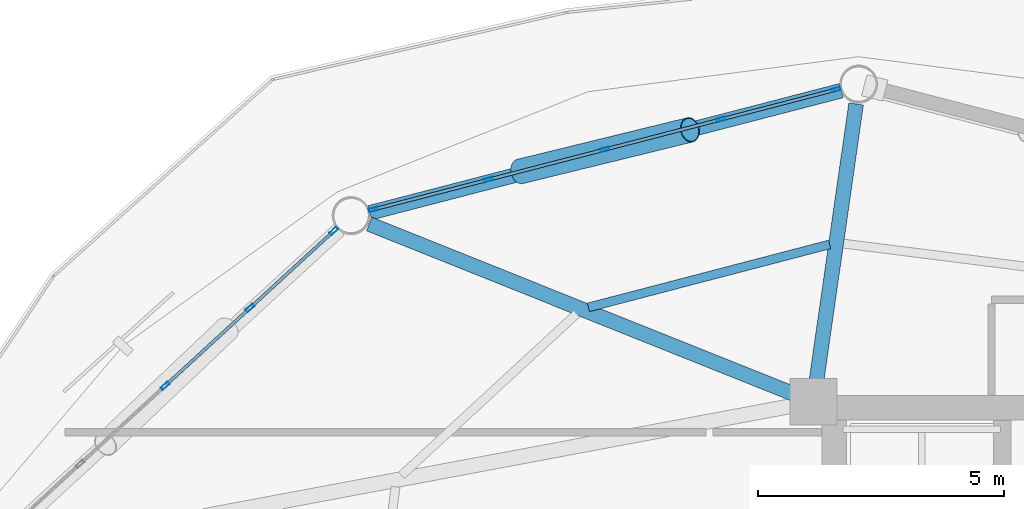
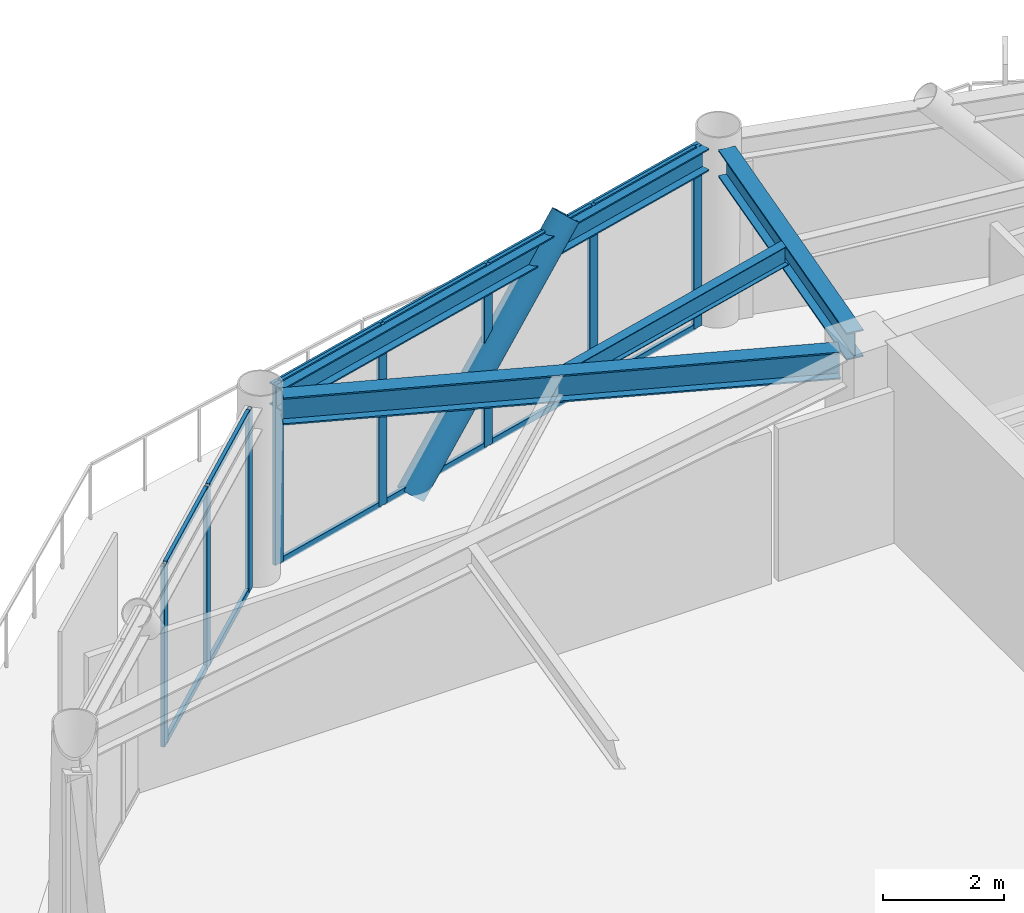
# One storey, part 15 of 23: 21 members, 4 beams, 2 elements without a shape of their own.
"""IFC4 building model written with IfcOpenShell, lengths in metres."""

from ifc_helpers import new_model, si_unit, direction, frame, origin, origin_2d, place, context, subcontext, project, spatial, hollow_rectangle, hollow_circle, i_section, extrude, material, layer, layer_set, material_profile, profile_set, type_object, element, aggregate, save


model = new_model("IFC4")

# Units and contexts
model_context = context("Model", 3, precision=1e-05, world=origin(), true_north=direction((0.0, 1.0)))
body_context = subcontext(model_context, "Body", "Model", "MODEL_VIEW")
ifc_project = project(units=[si_unit("LENGTHUNIT", "METRE"), si_unit("AREAUNIT", "SQUARE_METRE"), si_unit("VOLUMEUNIT", "CUBIC_METRE"), si_unit("PLANEANGLEUNIT", "RADIAN"), si_unit("MASSUNIT", "GRAM", prefix="KILO")], contexts=[model_context])

# Site, building, storey
site_placement = place(None, origin())
site = spatial("IfcSite", under=ifc_project, at=site_placement, CompositionType="ELEMENT")
building_placement = place(site_placement, origin())
building = spatial("IfcBuilding", under=site, at=building_placement, Name="Varnakorn Sky Granary", CompositionType="ELEMENT")
storey_placement = place(building_placement, frame((0.0, 0.0, 150.0)))
storey = spatial("IfcBuildingStorey", under=building, at=storey_placement, Name="L37", CompositionType="ELEMENT", Elevation=150.0)

# Beams
ifc_material_1 = material(Name="Steel S355JR", Category="steel")
ifc_material_profile_1 = material_profile(ifc_material_1, i_section(OverallWidth=0.300048828125, OverallDepth=0.550048828125, WebThickness=0.014892578125, FlangeThickness=0.029052734375, at=origin_2d()), Name="HE 550 B")
ifc_profile_set_1 = profile_set([ifc_material_profile_1], Name="Steel S355JR")
beam_type_1 = type_object("IfcBeamType", Name="BM-RAD-Z3", PredefinedType="BEAM", material=ifc_profile_set_1)
beam_1_placement = place(storey_placement, frame((-2.3603515625, 13.035888671875, 3.364990234375), z_axis=(0.141829140499, 0.989891153059, 0.0), x_axis=(-0.989891153059, 0.141829140499, 0.0)))
element("IfcBeam", 1, at=beam_1_placement, inside=storey, type_object=beam_type_1, Name="Radial Floor Girder RG04 L37", PredefinedType="BEAM", context=body_context, shape_type="SweptSolid", body=[
    extrude(i_section(OverallWidth=0.300048828125, OverallDepth=0.550048828125, WebThickness=0.014892578125, FlangeThickness=0.029052734375, at=origin_2d()), origin(), (0.0, 0.0, 1.0), 5.699462890625),
])
beam_2_placement = place(storey_placement, frame((-2.809814453125, 12.776123046875, 3.364990234375), z_axis=(-0.928350017635, 0.371707202993, 0.0), x_axis=(-0.371707202993, -0.928350017635, 0.0)))
element("IfcBeam", 2, at=beam_2_placement, inside=storey, type_object=beam_type_1, Name="Radial Floor Girder RG05 L37", PredefinedType="BEAM", context=body_context, shape_type="SweptSolid", body=[
    extrude(i_section(OverallWidth=0.300048828125, OverallDepth=0.550048828125, WebThickness=0.014892578125, FlangeThickness=0.029052734375, at=origin_2d()), origin(), (0.0, 0.0, 1.0), 9.308349609375),
])
ifc_material_profile_2 = material_profile(ifc_material_1, i_section(OverallWidth=0.179931640625, OverallDepth=0.39990234375, WebThickness=0.008544921875, FlangeThickness=0.013427734375, at=origin_2d()), Name="IPE 400")
ifc_profile_set_2 = profile_set([ifc_material_profile_2], Name="Steel S355JR")
beam_type_2 = type_object("IfcBeamType", Name="BM-SEC-Z3", PredefinedType="BEAM", material=ifc_profile_set_2)
beam_3_placement = place(storey_placement, frame((-2.091552734375, 15.8212890625, 3.43994140625), z_axis=(-0.967588617146, -0.252531716758, 0.0), x_axis=(0.252531716758, -0.967588617146, 0.0)))
element("IfcBeam", 3, at=beam_3_placement, inside=storey, type_object=beam_type_2, Name="Secondary Floor Chord Beam MSB04 L37", PredefinedType="BEAM", context=body_context, shape_type="SweptSolid", body=[
    extrude(i_section(OverallWidth=0.179931640625, OverallDepth=0.39990234375, WebThickness=0.008544921875, FlangeThickness=0.013427734375, at=origin_2d()), origin(), (0.0, 0.0, 1.0), 5.06787109375),
])
ifc_material_profile_3 = material_profile(ifc_material_1, i_section(OverallWidth=0.300048828125, OverallDepth=0.449951171875, WebThickness=0.013916015625, FlangeThickness=0.02587890625, at=origin_2d()), Name="HE 450 B")
ifc_profile_set_3 = profile_set([ifc_material_profile_3], Name="Steel S355JR")
beam_type_3 = type_object("IfcBeamType", Name="BM-SPD-Z3", PredefinedType="SPANDREL", material=ifc_profile_set_3)
beam_4_placement = place(storey_placement, frame((-1.854248046875, 18.9482421875, 3.4150390625), z_axis=(-0.968002445403, -0.250940761324, 0.0), x_axis=(0.250940761324, -0.968002445403, 0.0)))
element("IfcBeam", 4, at=beam_4_placement, inside=storey, type_object=beam_type_3, Name="Perimeter Spandrel Ring Beam RB04 L37", PredefinedType="SPANDREL", context=body_context, shape_type="SweptSolid", body=[
    extrude(i_section(OverallWidth=0.300048828125, OverallDepth=0.449951171875, WebThickness=0.013916015625, FlangeThickness=0.02587890625, at=origin_2d()), origin(), (0.0, 0.0, 1.0), 9.899169921875),
])

# Curtain wall, members
ifc_material_2 = material(Name="Anodised Bronze Aluminium Alloy 6063-T6", Category="aluminium")
ifc_layer = layer(ifc_material_2, 0.179931640625, Name="Anodised Bronze Aluminium Alloy 6063-T6")
ifc_layer_set = layer_set([ifc_layer], Name="Anodised Bronze Aluminium Alloy 6063-T6")
curtain_wall_type = type_object("IfcCurtainWallType", Name="CW-FRM-2", PredefinedType="USERDEFINED", material=ifc_layer_set)
curtain_wall_1_placement = place(storey_placement, origin())
curtain_wall_1 = element("IfcCurtainWall", 5, at=curtain_wall_1_placement, inside=storey, type_object=curtain_wall_type, Name="Unitised Curtain Wall CW4 CW-L37-B04", ObjectType="CURTAIN WALL", PredefinedType="USERDEFINED")
ifc_material_profile_4 = material_profile(ifc_material_2, hollow_rectangle(XDim=0.070068359375, YDim=0.18505859375, WallThickness=0.00390625, at=origin_2d()), Name="ALU MULL 70x185")
ifc_profile_set_4 = profile_set([ifc_material_profile_4], Name="Anodised Bronze Aluminium Alloy 6063-T6")
member_type_1 = type_object("IfcMemberType", Name="CW-FRM-2-MULL", PredefinedType="MULLION", material=ifc_profile_set_4)
member_1_placement = place(storey_placement, frame((-11.36328125, 16.533203125, 0.0), z_axis=(0.0, 0.0, 1.0), x_axis=(-0.250747882896, 0.968052425865, 0.0)))
member_1 = element("IfcMember", 6, at=member_1_placement, type_object=member_type_1, Name="CW4 mullion 1", PredefinedType="MULLION", context=body_context, shape_type="SweptSolid", body=[
    extrude(hollow_rectangle(XDim=0.070068359375, YDim=0.18505859375, WallThickness=0.00390625, at=origin_2d()), origin(), (0.0, 0.0, 1.0), 3.639892578125),
])
member_2_placement = place(storey_placement, frame((-9.029541015625, 17.1376953125, 0.0), z_axis=(0.0, 0.0, 1.0), x_axis=(-0.250747882896, 0.968052425865, 0.0)))
member_2 = element("IfcMember", 7, at=member_2_placement, type_object=member_type_1, Name="CW4 mullion 2", PredefinedType="MULLION", context=body_context, shape_type="SweptSolid", body=[
    extrude(hollow_rectangle(XDim=0.070068359375, YDim=0.18505859375, WallThickness=0.00390625, at=origin_2d()), origin(), (0.0, 0.0, 1.0), 3.639892578125),
])
member_3_placement = place(storey_placement, frame((-6.662109375, 17.7509765625, 0.0), z_axis=(0.0, 0.0, 1.0), x_axis=(-0.250747882896, 0.968052425865, 0.0)))
member_3 = element("IfcMember", 8, at=member_3_placement, type_object=member_type_1, Name="CW4 mullion 3", PredefinedType="MULLION", context=body_context, shape_type="SweptSolid", body=[
    extrude(hollow_rectangle(XDim=0.070068359375, YDim=0.18505859375, WallThickness=0.00390625, at=origin_2d()), origin(), (0.0, 0.0, 1.0), 3.639892578125),
])
member_4_placement = place(storey_placement, frame((-4.29443359375, 18.3642578125, 0.0), z_axis=(0.0, 0.0, 1.0), x_axis=(-0.250747882896, 0.968052425865, 0.0)))
member_4 = element("IfcMember", 9, at=member_4_placement, type_object=member_type_1, Name="CW4 mullion 4", PredefinedType="MULLION", context=body_context, shape_type="SweptSolid", body=[
    extrude(hollow_rectangle(XDim=0.070068359375, YDim=0.18505859375, WallThickness=0.00390625, at=origin_2d()), origin(), (0.0, 0.0, 1.0), 3.639892578125),
])
member_5_placement = place(storey_placement, frame((-1.960693359375, 18.968505859375, 0.0), z_axis=(0.0, 0.0, 1.0), x_axis=(-0.250747882896, 0.968052425865, 0.0)))
member_5 = element("IfcMember", 10, at=member_5_placement, type_object=member_type_1, Name="CW4 mullion 5", PredefinedType="MULLION", context=body_context, shape_type="SweptSolid", body=[
    extrude(hollow_rectangle(XDim=0.070068359375, YDim=0.18505859375, WallThickness=0.00390625, at=origin_2d()), origin(), (0.0, 0.0, 1.0), 3.639892578125),
])

curtain_wall_2_placement = place(storey_placement, origin())
curtain_wall_2 = element("IfcCurtainWall", 11, at=curtain_wall_2_placement, inside=storey, type_object=curtain_wall_type, Name="Unitised Curtain Wall CW4 CW-L37-B05", ObjectType="CURTAIN WALL", PredefinedType="USERDEFINED")
member_6_placement = place(storey_placement, frame((-15.602783203125, 12.945068359375, 0.0), z_axis=(0.0, 0.0, 1.0), x_axis=(-0.676226227357, 0.736694027012, 0.0)))
member_6 = element("IfcMember", 12, at=member_6_placement, type_object=member_type_1, Name="CW4 mullion 3", PredefinedType="MULLION", context=body_context, shape_type="SweptSolid", body=[
    extrude(hollow_rectangle(XDim=0.070068359375, YDim=0.18505859375, WallThickness=0.00390625, at=origin_2d()), origin(), (0.0, 0.0, 1.0), 3.639892578125),
])
member_7_placement = place(storey_placement, frame((-13.8759765625, 14.5302734375, 0.0), z_axis=(0.0, 0.0, 1.0), x_axis=(-0.676226227357, 0.736694027012, 0.0)))
member_7 = element("IfcMember", 13, at=member_7_placement, type_object=member_type_1, Name="CW4 mullion 4", PredefinedType="MULLION", context=body_context, shape_type="SweptSolid", body=[
    extrude(hollow_rectangle(XDim=0.070068359375, YDim=0.18505859375, WallThickness=0.00390625, at=origin_2d()), origin(), (0.0, 0.0, 1.0), 3.639892578125),
])
member_8_placement = place(storey_placement, frame((-12.1748046875, 16.092041015625, 0.0), z_axis=(0.0, 0.0, 1.0), x_axis=(-0.676226227357, 0.736694027012, 0.0)))
member_8 = element("IfcMember", 14, at=member_8_placement, type_object=member_type_1, Name="CW4 mullion 5", PredefinedType="MULLION", context=body_context, shape_type="SweptSolid", body=[
    extrude(hollow_rectangle(XDim=0.070068359375, YDim=0.18505859375, WallThickness=0.00390625, at=origin_2d()), origin(), (0.0, 0.0, 1.0), 3.639892578125),
])

# Member
ifc_material_profile_5 = material_profile(ifc_material_2, hollow_rectangle(XDim=0.06494140625, YDim=0.1201171875, WallThickness=0.00341796875, at=origin_2d()), Name="ALU TRAN 65x120")
ifc_profile_set_5 = profile_set([ifc_material_profile_5], Name="Anodised Bronze Aluminium Alloy 6063-T6")
member_type_2 = type_object("IfcMemberType", Name="CW-FRM-2-TRAN", PredefinedType="USERDEFINED", material=ifc_profile_set_5)
member_9_placement = place(storey_placement, frame((-11.329345703125, 16.5419921875, 0.032470703125), z_axis=(0.9680522446, 0.250748582698, 0.0), x_axis=(-0.250748582698, 0.9680522446, 0.0)))
member_9 = element("IfcMember", 15, at=member_9_placement, type_object=member_type_2, Name="CW4 transom 1.1", ObjectType="TRANSOM", PredefinedType="USERDEFINED", context=body_context, shape_type="SweptSolid", body=[
    extrude(hollow_rectangle(XDim=0.06494140625, YDim=0.1201171875, WallThickness=0.00341796875, at=origin_2d()), origin(), (0.0, 0.0, 1.0), 2.340576171875),
])

member_10_placement = place(storey_placement, frame((-11.329345703125, 16.5419921875, 3.607421875), z_axis=(0.9680522446, 0.250748582698, 0.0), x_axis=(-0.250748582698, 0.9680522446, 0.0)))
member_10 = element("IfcMember", 16, at=member_10_placement, type_object=member_type_2, Name="CW4 transom 1.2", ObjectType="TRANSOM", PredefinedType="USERDEFINED", context=body_context, shape_type="SweptSolid", body=[
    extrude(hollow_rectangle(XDim=0.06494140625, YDim=0.1201171875, WallThickness=0.00341796875, at=origin_2d()), origin(), (0.0, 0.0, 1.0), 2.340576171875),
])

member_11_placement = place(storey_placement, frame((-8.99560546875, 17.146484375, 0.032470703125), z_axis=(0.96805235211, 0.250748167638, 0.0), x_axis=(-0.250748167638, 0.96805235211, 0.0)))
member_11 = element("IfcMember", 17, at=member_11_placement, type_object=member_type_2, Name="CW4 transom 2.1", ObjectType="TRANSOM", PredefinedType="USERDEFINED", context=body_context, shape_type="SweptSolid", body=[
    extrude(hollow_rectangle(XDim=0.06494140625, YDim=0.1201171875, WallThickness=0.00341796875, at=origin_2d()), origin(), (0.0, 0.0, 1.0), 2.375732421875),
])

member_12_placement = place(storey_placement, frame((-8.99560546875, 17.146484375, 3.607421875), z_axis=(0.96805235211, 0.250748167638, 0.0), x_axis=(-0.250748167638, 0.96805235211, 0.0)))
member_12 = element("IfcMember", 18, at=member_12_placement, type_object=member_type_2, Name="CW4 transom 2.2", ObjectType="TRANSOM", PredefinedType="USERDEFINED", context=body_context, shape_type="SweptSolid", body=[
    extrude(hollow_rectangle(XDim=0.06494140625, YDim=0.1201171875, WallThickness=0.00341796875, at=origin_2d()), origin(), (0.0, 0.0, 1.0), 2.375732421875),
])

member_13_placement = place(storey_placement, frame((-6.628173828125, 17.759765625, 0.032470703125), z_axis=(0.96805235211, 0.250748167638, 0.0), x_axis=(-0.250748167638, 0.96805235211, 0.0)))
member_13 = element("IfcMember", 19, at=member_13_placement, type_object=member_type_2, Name="CW4 transom 3.1", ObjectType="TRANSOM", PredefinedType="USERDEFINED", context=body_context, shape_type="SweptSolid", body=[
    extrude(hollow_rectangle(XDim=0.06494140625, YDim=0.1201171875, WallThickness=0.00341796875, at=origin_2d()), origin(), (0.0, 0.0, 1.0), 2.375732421875),
])

member_14_placement = place(storey_placement, frame((-6.628173828125, 17.759765625, 3.607421875), z_axis=(0.96805235211, 0.250748167638, 0.0), x_axis=(-0.250748167638, 0.96805235211, 0.0)))
member_14 = element("IfcMember", 20, at=member_14_placement, type_object=member_type_2, Name="CW4 transom 3.2", ObjectType="TRANSOM", PredefinedType="USERDEFINED", context=body_context, shape_type="SweptSolid", body=[
    extrude(hollow_rectangle(XDim=0.06494140625, YDim=0.1201171875, WallThickness=0.00341796875, at=origin_2d()), origin(), (0.0, 0.0, 1.0), 2.375732421875),
])

member_15_placement = place(storey_placement, frame((-4.260498046875, 18.373046875, 0.032470703125), z_axis=(0.9680522446, 0.250748582698, 0.0), x_axis=(-0.250748582698, 0.9680522446, 0.0)))
member_15 = element("IfcMember", 21, at=member_15_placement, type_object=member_type_2, Name="CW4 transom 4.1", ObjectType="TRANSOM", PredefinedType="USERDEFINED", context=body_context, shape_type="SweptSolid", body=[
    extrude(hollow_rectangle(XDim=0.06494140625, YDim=0.1201171875, WallThickness=0.00341796875, at=origin_2d()), origin(), (0.0, 0.0, 1.0), 2.340576171875),
])

member_16_placement = place(storey_placement, frame((-4.260498046875, 18.373046875, 3.607421875), z_axis=(0.9680522446, 0.250748582698, 0.0), x_axis=(-0.250748582698, 0.9680522446, 0.0)))
member_16 = element("IfcMember", 22, at=member_16_placement, type_object=member_type_2, Name="CW4 transom 4.2", ObjectType="TRANSOM", PredefinedType="USERDEFINED", context=body_context, shape_type="SweptSolid", body=[
    extrude(hollow_rectangle(XDim=0.06494140625, YDim=0.1201171875, WallThickness=0.00341796875, at=origin_2d()), origin(), (0.0, 0.0, 1.0), 2.340576171875),
])

aggregate(curtain_wall_1, [member_1, member_2, member_3, member_4, member_5, member_9, member_10, member_11, member_12, member_13, member_14, member_15, member_16])

member_17_placement = place(storey_placement, frame((-15.5771484375, 12.96875, 0.032470703125), z_axis=(0.736730679074, 0.676186295714, 0.0), x_axis=(-0.676186295714, 0.736730679074, 0.0)))
member_17 = element("IfcMember", 23, at=member_17_placement, type_object=member_type_2, Name="CW4 transom 3.1", ObjectType="TRANSOM", PredefinedType="USERDEFINED", context=body_context, shape_type="SweptSolid", body=[
    extrude(hollow_rectangle(XDim=0.06494140625, YDim=0.1201171875, WallThickness=0.00341796875, at=origin_2d()), origin(), (0.0, 0.0, 1.0), 2.274169921875),
])

member_18_placement = place(storey_placement, frame((-15.5771484375, 12.96875, 3.607421875), z_axis=(0.736730679074, 0.676186295714, 0.0), x_axis=(-0.676186295714, 0.736730679074, 0.0)))
member_18 = element("IfcMember", 24, at=member_18_placement, type_object=member_type_2, Name="CW4 transom 3.2", ObjectType="TRANSOM", PredefinedType="USERDEFINED", context=body_context, shape_type="SweptSolid", body=[
    extrude(hollow_rectangle(XDim=0.06494140625, YDim=0.1201171875, WallThickness=0.00341796875, at=origin_2d()), origin(), (0.0, 0.0, 1.0), 2.274169921875),
])

member_19_placement = place(storey_placement, frame((-13.85009765625, 14.553955078125, 0.032470703125), z_axis=(0.736660671325, 0.676262563893, 0.0), x_axis=(-0.676262563893, 0.736660671325, 0.0)))
member_19 = element("IfcMember", 25, at=member_19_placement, type_object=member_type_2, Name="CW4 transom 4.1", ObjectType="TRANSOM", PredefinedType="USERDEFINED", context=body_context, shape_type="SweptSolid", body=[
    extrude(hollow_rectangle(XDim=0.06494140625, YDim=0.1201171875, WallThickness=0.00341796875, at=origin_2d()), origin(), (0.0, 0.0, 1.0), 2.2392578125),
])

member_20_placement = place(storey_placement, frame((-13.85009765625, 14.553955078125, 3.607421875), z_axis=(0.736660671325, 0.676262563893, 0.0), x_axis=(-0.676262563893, 0.736660671325, 0.0)))
member_20 = element("IfcMember", 26, at=member_20_placement, type_object=member_type_2, Name="CW4 transom 4.2", ObjectType="TRANSOM", PredefinedType="USERDEFINED", context=body_context, shape_type="SweptSolid", body=[
    extrude(hollow_rectangle(XDim=0.06494140625, YDim=0.1201171875, WallThickness=0.00341796875, at=origin_2d()), origin(), (0.0, 0.0, 1.0), 2.2392578125),
])

aggregate(curtain_wall_2, [member_6, member_7, member_8, member_17, member_18, member_19, member_20])

ifc_material_3 = material(Name="Steel S460M", Category="steel")
ifc_material_profile_6 = material_profile(ifc_material_3, hollow_circle(Radius=0.25390625, WallThickness=0.01806640625, at=origin_2d()), Name="CHS 508x18")
ifc_profile_set_6 = profile_set([ifc_material_profile_6], Name="Steel S460M")
member_type_3 = type_object("IfcMemberType", Name="MB-DIAG-T2", PredefinedType="BRACE", material=ifc_profile_set_6)
member_21_placement = place(storey_placement, frame((-8.3828125, 17.30517578125, -0.1298828125), z_axis=(0.652445497099, 0.159777862701, 0.740800855768), x_axis=(-0.237862117096, 0.971298930943, 0.0)))
element("IfcMember", 27, at=member_21_placement, inside=storey, type_object=member_type_3, Name="Perimeter CHS Diagrid Brace DG04 L37", PredefinedType="BRACE", context=body_context, shape_type="SweptSolid", body=[
    extrude(hollow_circle(Radius=0.25390625, WallThickness=0.01806640625, at=origin_2d()), origin(), (0.0, 0.0, 1.0), 5.29150390625),
])

save(model, "model.ifc")
